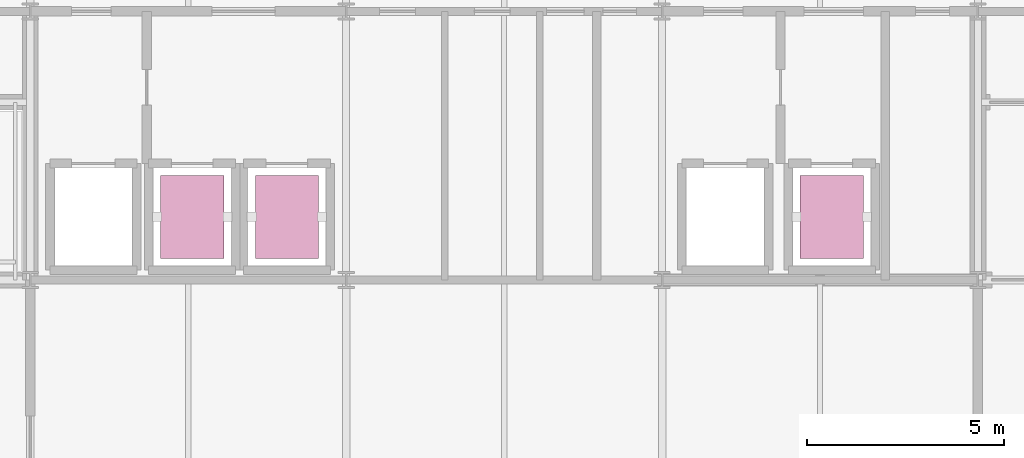
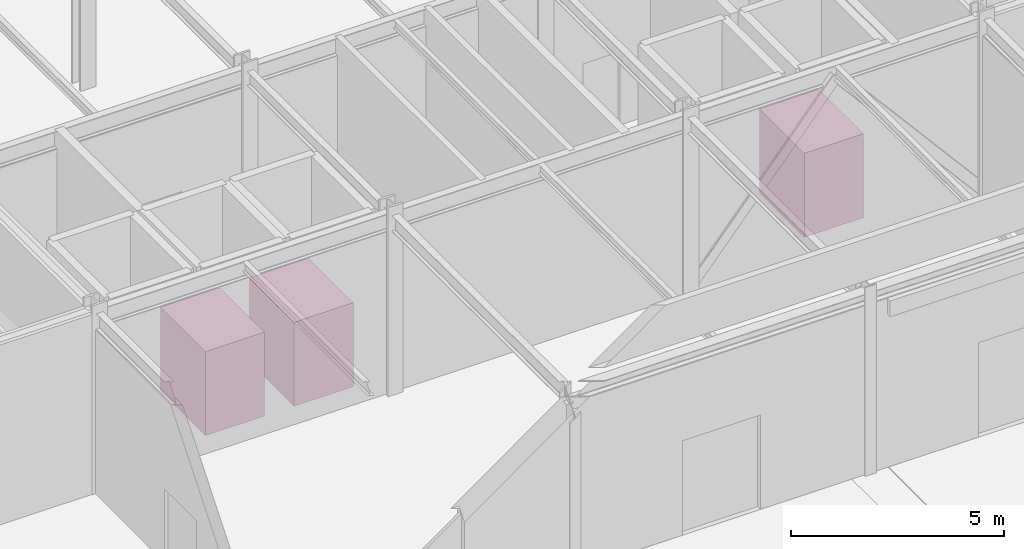
# One storey, part 89 of 89: 3 transport elements.
"""IFC4 building model written with IfcOpenShell, lengths in metres."""

import ifcopenshell
import ifcopenshell.guid

model = None  # the IFC model being written
_history = None  # IfcOwnerHistory: only IFC2X3 demands one
_inside = {}  # id of a spatial element -> (the spatial element, [elements in it])
_under = {}  # id of a project, library or spatial element -> (it, [spatial elements below it])
_declared = {}  # id of a project -> (the project, [libraries it declares])
_typed = {}  # id of a type object -> (the type object, [elements of that type])
_made_of = {}  # id of a material, layer set ... -> (it, [elements and type objects made of it])


def new_model(schema):
    """Start an empty IFC model of exactly this schema.

    Asked for "IFC4X3", IfcOpenShell would pick the latest addendum, in which some entities
    have other attributes; the version numbers below select the first issue.
    IFC2X3 requires an IfcOwnerHistory on every rooted entity: one is made here for all.
    """
    global model, _history
    if schema == "IFC4X3":
        model = ifcopenshell.file(schema_version=(4, 3, 0, 0))
    else:
        model = ifcopenshell.file(schema=schema)
    _inside.clear()
    _under.clear()
    _declared.clear()
    _typed.clear()
    _made_of.clear()
    _history = None
    if model.schema == "IFC2X3":
        org = make("IfcOrganization", Name="unknown")
        user = make(
            "IfcPersonAndOrganization",
            ThePerson=make("IfcPerson", FamilyName="unknown"),
            TheOrganization=org,
        )
        app = make(
            "IfcApplication",
            ApplicationDeveloper=org,
            Version="unknown",
            ApplicationFullName="unknown",
            ApplicationIdentifier="unknown",
        )
        _history = make(
            "IfcOwnerHistory",
            OwningUser=user,
            OwningApplication=app,
            ChangeAction="ADDED",
            CreationDate=0,
        )
    return model


def make(cls, **values):
    """One entity of the class cls with the attributes given. An attribute that is None is left unset."""
    return model.create_entity(
        cls, **{name: value for name, value in values.items() if value is not None}
    )


def rooted(cls, **values):
    """An entity with a GlobalId (a new one), such as an element, a storey or a relation."""
    return make(cls, GlobalId=ifcopenshell.guid.new(), OwnerHistory=_history, **values)


def si_unit(unit_type, name, prefix=None):
    """IfcSIUnit, for example si_unit("LENGTHUNIT", "METRE", prefix="MILLI")."""
    return make("IfcSIUnit", UnitType=unit_type, Prefix=prefix, Name=name)


def assignment(units):
    """IfcUnitAssignment: the units of a project."""
    return None if units is None else make("IfcUnitAssignment", Units=units)


def point(xyz):
    """IfcCartesianPoint."""
    return None if xyz is None else make("IfcCartesianPoint", Coordinates=xyz)


def direction(xyz):
    """IfcDirection."""
    return None if xyz is None else make("IfcDirection", DirectionRatios=xyz)


def frame(location, z_axis=None, x_axis=None):
    """IfcAxis2Placement3D, a coordinate frame: its origin and axes. An axis left out is left unset."""
    return make(
        "IfcAxis2Placement3D",
        Location=point(location),
        Axis=direction(z_axis),
        RefDirection=direction(x_axis),
    )


def frame_2d(location, x_axis=None):
    """IfcAxis2Placement2D, a coordinate frame in the plane: its origin and x axis."""
    return make(
        "IfcAxis2Placement2D", Location=point(location), RefDirection=direction(x_axis)
    )


def origin():
    """The frame at (0, 0, 0) with its axes left unset."""
    return frame((0.0, 0.0, 0.0))


def origin_2d():
    """The frame at (0, 0) in the plane with its x axis left unset."""
    return frame_2d((0.0, 0.0))


def place(relative_to, where):
    """IfcLocalPlacement: puts the frame where relative to a parent placement (None: the world)."""
    return make(
        "IfcLocalPlacement", PlacementRelTo=relative_to, RelativePlacement=where
    )


def context(
    kind, dimensions, precision=None, world=None, true_north=None, identifier=None
):
    """IfcGeometricRepresentationContext, for example the 3D "Model" context."""
    return make(
        "IfcGeometricRepresentationContext",
        ContextIdentifier=identifier,
        ContextType=kind,
        CoordinateSpaceDimension=dimensions,
        Precision=precision,
        WorldCoordinateSystem=world,
        TrueNorth=true_north,
    )


def subcontext(parent, identifier, kind, view, scale=None):
    """IfcGeometricRepresentationSubContext, for example "Body" below "Model"."""
    return make(
        "IfcGeometricRepresentationSubContext",
        ContextIdentifier=identifier,
        ContextType=kind,
        ParentContext=parent,
        TargetScale=scale,
        TargetView=view,
    )


def project(units=None, contexts=None):
    """IfcProject with its units and contexts."""
    return rooted(
        "IfcProject",
        Name="project",
        RepresentationContexts=contexts,
        UnitsInContext=assignment(units),
    )


def spatial(cls, under=None, at=None, **own):
    """A site, building, storey or space (cls), placed at a placement, below another one or the project."""
    s = rooted(cls, ObjectPlacement=at, **own)
    if under is not None:
        _under.setdefault(under.id(), (under, []))[1].append(s)
    return s


def profile(cls, at=None, kind="AREA", **sizes):
    """A parametric profile (cls). Its sizes go by their IFC names, for example OverallWidth=200.0."""
    return make(cls, ProfileType=kind, Position=at, **sizes)


def rectangle(**sizes):
    """IfcRectangleProfileDef."""
    return profile("IfcRectangleProfileDef", **sizes)


def extrude(swept, where, along, depth):
    """IfcExtrudedAreaSolid: the profile swept, set in the frame where, extruded along a direction by depth."""
    return make(
        "IfcExtrudedAreaSolid",
        SweptArea=swept,
        Position=where,
        ExtrudedDirection=direction(along),
        Depth=depth,
    )


def shape(context_of_items, identifier, shape_type, items):
    """IfcShapeRepresentation: the items that make up one representation, for example the "Body"."""
    return make(
        "IfcShapeRepresentation",
        ContextOfItems=context_of_items,
        RepresentationIdentifier=identifier,
        RepresentationType=shape_type,
        Items=items,
    )


def material(Name=None, Category=None):
    """IfcMaterial."""
    return make("IfcMaterial", Name=Name, Category=Category)


def made_of(thing, what):
    """Note that an element or type object is made of a material, layer set ...; save() writes the relation."""
    if what is not None:
        _made_of.setdefault(what.id(), (what, []))[1].append(thing)
    return thing


def type_object(cls, material=None, **own):
    """A type object (cls), such as IfcWallType, which elements share."""
    return made_of(rooted(cls, **own), material)


def element(
    cls,
    number,
    at=None,
    inside=None,
    cuts=None,
    type_object=None,
    material=None,
    context=None,
    identifier="Body",
    shape_type=None,
    held_by="IfcProductDefinitionShape",
    body=None,
    shapes=None,
    **own,
):
    """One element of the class cls, such as IfcWall. Its Tag is "e" and its number.

    at: its placement. inside: the storey or other place that contains it. cuts: it is an
    opening in that element (IfcRelVoidsElement). A single representation is given by context,
    identifier, shape_type and body (its items); several are given by shapes. held_by: the class
    of the entity that holds the representations. save() writes the other relations.
    """
    e = rooted(cls, Tag="e%d" % number, ObjectPlacement=at, **own)
    if body is not None:
        shapes = [shape(context, identifier, shape_type, body)]
    if shapes is not None:
        e.Representation = make(held_by, Representations=shapes)
    if inside is not None:
        _inside.setdefault(inside.id(), (inside, []))[1].append(e)
    if cuts is not None:
        rooted(
            "IfcRelVoidsElement", RelatingBuildingElement=cuts, RelatedOpeningElement=e
        )
    if type_object is not None:
        _typed.setdefault(type_object.id(), (type_object, []))[1].append(e)
    return made_of(e, material)


def aggregate(whole, parts):
    """IfcRelAggregates: a whole, such as a stair, and the parts it consists of."""
    return rooted("IfcRelAggregates", RelatingObject=whole, RelatedObjects=parts)


def save(model, path):
    """Write the relations noted so far, then the file.

    IfcRelAggregates (storeys below a building ...), IfcRelContainedInSpatialStructure (elements
    in a storey), IfcRelDefinesByType, IfcRelAssociatesMaterial and IfcRelDeclares: one each for
    every whole, place, type object, material and project.
    """
    for whole, parts in _under.values():
        aggregate(whole, parts)
    for where, things in _inside.values():
        rooted(
            "IfcRelContainedInSpatialStructure",
            RelatedElements=things,
            RelatingStructure=where,
        )
    for kind, things in _typed.values():
        rooted("IfcRelDefinesByType", RelatedObjects=things, RelatingType=kind)
    for what, things in _made_of.values():
        rooted("IfcRelAssociatesMaterial", RelatedObjects=things, RelatingMaterial=what)
    for by, libraries in _declared.values():
        rooted("IfcRelDeclares", RelatingContext=by, RelatedDefinitions=libraries)
    model.write(path)


model = new_model("IFC4")

# Units and contexts
model_context = context("Model", 3, precision=1e-05, world=origin(), true_north=direction((0.0, 1.0)))
body_context = subcontext(model_context, "Body", "Model", "MODEL_VIEW")
ifc_project = project(units=[si_unit("LENGTHUNIT", "METRE"), si_unit("AREAUNIT", "SQUARE_METRE"), si_unit("VOLUMEUNIT", "CUBIC_METRE"), si_unit("PLANEANGLEUNIT", "RADIAN"), si_unit("MASSUNIT", "GRAM", prefix="KILO")], contexts=[model_context])

# Site, building, storey
site_placement = place(None, origin())
site = spatial("IfcSite", under=ifc_project, at=site_placement, CompositionType="ELEMENT")
building_placement = place(site_placement, origin())
building = spatial("IfcBuilding", under=site, at=building_placement, Name="Shalkamar Park Central Library", CompositionType="ELEMENT")
storey_placement = place(building_placement, origin())
storey = spatial("IfcBuildingStorey", under=building, at=storey_placement, Name="L01", CompositionType="ELEMENT", Elevation=0.0)

# Transport elements
ifc_material = material(Name="Steel S355", Category="steel")
transport_element_type = type_object("IfcTransportElementType", Name="Passenger Elevator 1600kg", PredefinedType="ELEVATOR", material=ifc_material)
for number, where, z_axis, x_axis, name in (
    (1, (177.10009765625, 250.0, 0.0), (0.0, 0.0, 1.0), (1.0, 0.0, 0.0), "Tower Passenger Lift LT-01"),
    (2, (179.5, 250.0, 0.0), (0.0, 0.0, 1.0), (1.0, 0.0, 0.0), "Tower Passenger Lift LT-02"),
    (3, (193.300048828125, 250.0, 0.0), (0.0, 0.0, 1.0), (1.0, 0.0, 0.0), "Tower Passenger Lift LT-03"),
):
    element("IfcTransportElement", number, at=place(storey_placement, frame(where, z_axis=z_axis, x_axis=x_axis)), inside=storey, type_object=transport_element_type, Name=name, PredefinedType="ELEVATOR", context=body_context, shape_type="SweptSolid", body=[
        extrude(rectangle(XDim=1.60009765625, YDim=2.10009765625, at=origin_2d()), origin(), (0.0, 0.0, 1.0), 2.39990234375),
    ])

save(model, "model.ifc")
